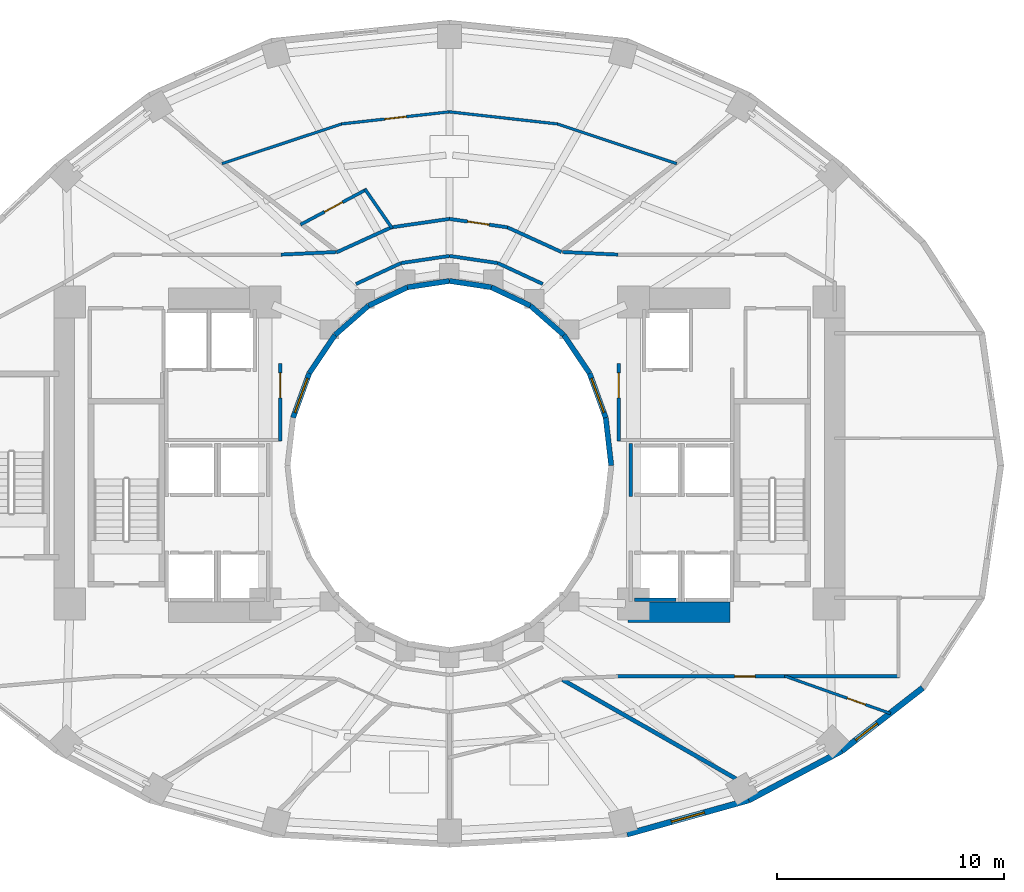
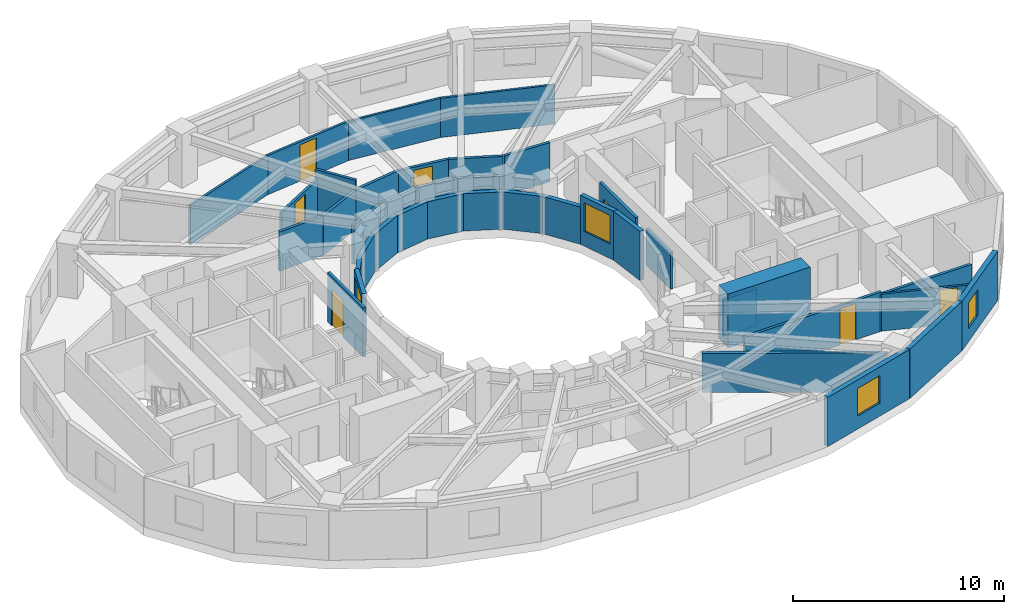
# One storey, part 5 of 9: 39 walls, 7 doors, 4 windows, 11 openings.
"""IFC4 building model written with IfcOpenShell, lengths in metres."""

from ifc_helpers import new_model, si_unit, direction, frame, frame_2d, origin, place, context, subcontext, project, spatial, rectangle, extrude, material, layer, layer_set, type_object, element, fill, save


model = new_model("IFC4")

# Units and contexts
model_context = context("Model", 3, precision=1e-05, world=origin(), true_north=direction((0.0, 1.0)))
body_context = subcontext(model_context, "Body", "Model", "MODEL_VIEW")
ifc_project = project(units=[si_unit("LENGTHUNIT", "METRE"), si_unit("AREAUNIT", "SQUARE_METRE"), si_unit("VOLUMEUNIT", "CUBIC_METRE"), si_unit("PLANEANGLEUNIT", "RADIAN"), si_unit("MASSUNIT", "GRAM", prefix="KILO")], contexts=[model_context])

# Site, building, storey
site_placement = place(None, origin())
site = spatial("IfcSite", under=ifc_project, at=site_placement, CompositionType="ELEMENT")
building_placement = place(site_placement, origin())
building = spatial("IfcBuilding", under=site, at=building_placement, Name="Solvane Sanctuary Tower", CompositionType="ELEMENT")
storey_placement = place(building_placement, frame((0.0, 0.0, 76.300048828125)))
storey = spatial("IfcBuildingStorey", under=building, at=storey_placement, Name="L22", CompositionType="ELEMENT", Elevation=76.300048828125)

# Wall
ifc_material_1 = material(Name="Concrete C70/85", Category="concrete")
ifc_layer_1 = layer(ifc_material_1, 0.89990234375, Name="Concrete C70/85")
ifc_layer_set_1 = layer_set([ifc_layer_1], Name="Concrete C70/85")
wall_type_1 = type_object("IfcWallType", Name="Wall W-CORE-900", PredefinedType="SHEAR", material=ifc_layer_set_1)
wall_1_placement = place(storey_placement, frame((39.85009765625, 16.550048828125, 0.0), z_axis=(0.0, 0.0, 1.0), x_axis=(1.0, 0.0, 0.0)))
element("IfcWall", 1, at=wall_1_placement, inside=storey, type_object=wall_type_1, Name="L22 Core Shear Wall EC-S", PredefinedType="SHEAR", context=body_context, shape_type="SweptSolid", body=[
    extrude(rectangle(XDim=4.5, YDim=0.89990234375, at=frame_2d((2.25, 0.0))), origin(), (0.0, 0.0, 1.0), 3.099853515625),
])

# Wall, opening, door
ifc_material_2 = material(Name="Acoustic Gypsum Partition Board")
ifc_layer_2 = layer(ifc_material_2, 0.14990234375, Name="Acoustic Gypsum Partition Board")
ifc_layer_set_2 = layer_set([ifc_layer_2], Name="Acoustic Gypsum Partition Board")
wall_type_2 = type_object("IfcWallType", Name="Wall W-CORR-150", PredefinedType="PARTITIONING", material=ifc_layer_set_2)
wall_2_placement = place(storey_placement, frame((24.550048828125, 24.080078125, 0.0), z_axis=(0.0, 0.0, 1.0), x_axis=(0.0, 1.0, 0.0)))
wall_2 = element("IfcWall", 2, at=wall_2_placement, inside=storey, type_object=wall_type_2, Name="L22 West Firefighting Lobby East Wall", PredefinedType="PARTITIONING", context=body_context, shape_type="SweptSolid", body=[
    extrude(rectangle(XDim=3.39990234375, YDim=0.14990234375, at=frame_2d((1.699951171875, 0.0))), origin(), (0.0, 0.0, 1.0), 2.85498046875),
])
opening_1_placement = place(wall_2_placement, frame((1.893798828125, 0.0, 0.0)))
opening_1 = element("IfcOpeningElement", 3, at=opening_1_placement, cuts=wall_2, Name="Opening D-L22-04", PredefinedType="OPENING", context=body_context, shape_type="SweptSolid", body=[
    extrude(rectangle(XDim=1.10009765625, YDim=2.10009765625, at=frame_2d((0.550048828125, 1.050048828125))), frame((0.0, 0.0849609375, 0.0), z_axis=(0.0, -1.0, 0.0), x_axis=(1.0, 0.0, 0.0)), (0.0, 0.0, 1.0), 0.169921875),
])
ifc_material_3 = material(Name="Architectural Stainless Steel 316", Category="steel")
door_type_1 = type_object("IfcDoorType", Name="Door D-FFL", OperationType="NOTDEFINED", PredefinedType="DOOR", material=ifc_material_3)
door_1_placement = place(opening_1_placement, origin())
door_1 = element("IfcDoor", 4, at=door_1_placement, inside=storey, type_object=door_type_1, Name="L22 West Firefighting Lobby Fire Door", OperationType="SINGLE_SWING_LEFT", OverallHeight=2.10009765625, OverallWidth=1.10009765625, PredefinedType="DOOR", context=body_context, shape_type="SweptSolid", body=[
    extrude(rectangle(XDim=1.10009765625, YDim=2.10009765625, at=frame_2d((0.550048828125, 1.050048828125))), frame((0.0, 0.02490234375, 0.0), z_axis=(0.0, -1.0, 0.0), x_axis=(1.0, 0.0, 0.0)), (0.0, 0.0, 1.0), 0.050048828125),
])
fill(opening_1, door_1)

wall_3_placement = place(storey_placement, frame((39.449951171875, 24.080078125, 0.0), z_axis=(0.0, 0.0, 1.0), x_axis=(0.0, 1.0, 0.0)))
wall_3 = element("IfcWall", 5, at=wall_3_placement, inside=storey, type_object=wall_type_2, Name="L22 East Firefighting Lobby West Wall", PredefinedType="PARTITIONING", context=body_context, shape_type="SweptSolid", body=[
    extrude(rectangle(XDim=3.39990234375, YDim=0.14990234375, at=frame_2d((1.699951171875, 0.0))), origin(), (0.0, 0.0, 1.0), 2.85498046875),
])
opening_2_placement = place(wall_3_placement, frame((1.893798828125, 0.0, 0.0)))
opening_2 = element("IfcOpeningElement", 6, at=opening_2_placement, cuts=wall_3, Name="Opening D-L22-05", PredefinedType="OPENING", context=body_context, shape_type="SweptSolid", body=[
    extrude(rectangle(XDim=1.10009765625, YDim=2.10009765625, at=frame_2d((0.550048828125, 1.050048828125))), frame((0.0, 0.0849609375, 0.0), z_axis=(0.0, -1.0, 0.0), x_axis=(1.0, 0.0, 0.0)), (0.0, 0.0, 1.0), 0.169921875),
])
door_2_placement = place(opening_2_placement, origin())
door_2 = element("IfcDoor", 7, at=door_2_placement, inside=storey, type_object=door_type_1, Name="L22 East Firefighting Lobby Fire Door", OperationType="SINGLE_SWING_RIGHT", OverallHeight=2.10009765625, OverallWidth=1.10009765625, PredefinedType="DOOR", context=body_context, shape_type="SweptSolid", body=[
    extrude(rectangle(XDim=1.10009765625, YDim=2.10009765625, at=frame_2d((0.550048828125, 1.050048828125))), frame((0.0, 0.02490234375, 0.0), z_axis=(0.0, -1.0, 0.0), x_axis=(1.0, 0.0, 0.0)), (0.0, 0.0, 1.0), 0.050048828125),
])
fill(opening_2, door_2)

# Walls
wall_4_placement = place(storey_placement, frame((36.110107421875, 30.98486328125, 0.0), z_axis=(0.0, 0.0, 1.0), x_axis=(-0.906943449489, 0.421252393975, 0.0)))
element("IfcWall", 8, at=wall_4_placement, inside=storey, type_object=wall_type_2, Name="L22 Light-Well Corridor Rim Wall N1", PredefinedType="PARTITIONING", context=body_context, shape_type="SweptSolid", body=[
    extrude(rectangle(XDim=2.18603515625, YDim=0.14990234375, at=frame_2d((1.093017578125, 0.0))), origin(), (0.0, 0.0, 1.0), 2.27197265625),
])
for number, where, z_axis, x_axis, name in (
    (9, (34.12744140625, 31.90576171875, 0.0), (0.0, 0.0, 1.0), (-0.989268584896, 0.146108408166, 0.0), "L22 Light-Well Corridor Rim Wall N2"),
    (10, (32.0, 32.219970703125, 0.0), (0.0, 0.0, 1.0), (-0.989268584896, -0.146108408166, 0.0), "L22 Light-Well Corridor Rim Wall N3"),
):
    element("IfcWall", number, at=place(storey_placement, frame(where, z_axis=z_axis, x_axis=x_axis)), inside=storey, type_object=wall_type_2, Name=name, PredefinedType="PARTITIONING", context=body_context, shape_type="SweptSolid", body=[
        extrude(rectangle(XDim=2.150634765625, YDim=0.14990234375, at=frame_2d((1.0751953125, 0.0))), origin(), (0.0, 0.0, 1.0), 2.27197265625),
    ])
wall_5_placement = place(storey_placement, frame((29.87255859375, 31.90576171875, 0.0), z_axis=(0.0, 0.0, 1.0), x_axis=(-0.906943449489, -0.421252393975, 0.0)))
element("IfcWall", 11, at=wall_5_placement, inside=storey, type_object=wall_type_2, Name="L22 Light-Well Corridor Rim Wall N4", PredefinedType="PARTITIONING", context=body_context, shape_type="SweptSolid", body=[
    extrude(rectangle(XDim=2.18603515625, YDim=0.14990234375, at=frame_2d((1.093017578125, 0.0))), origin(), (0.0, 0.0, 1.0), 2.27197265625),
])
for number, where, z_axis, x_axis, name in (
    (12, (36.97998046875, 32.393798828125, 0.0), (0.0, 0.0, 1.0), (0.998877427952, -0.047369651964, 0.0), "L22 NE Corner Throat Wall"),
    (13, (27.02001953125, 32.393798828125, 0.0), (0.0, 0.0, 1.0), (-0.998877427952, -0.047369651964, 0.0), "L22 NW Corner Throat Wall"),
):
    element("IfcWall", number, at=place(storey_placement, frame(where, z_axis=z_axis, x_axis=x_axis)), inside=storey, type_object=wall_type_2, Name=name, PredefinedType="PARTITIONING", context=body_context, shape_type="SweptSolid", body=[
        extrude(rectangle(XDim=2.4326171875, YDim=0.14990234375, at=frame_2d((1.21630859375, 0.0))), origin(), (0.0, 0.0, 1.0), 2.27197265625),
    ])

# Wall, opening, door
wall_6_placement = place(storey_placement, frame((39.330078125, 13.719970703125, 0.0), z_axis=(0.0, 0.0, 1.0), x_axis=(1.0, 0.0, 0.0)))
wall_6 = element("IfcWall", 14, at=wall_6_placement, inside=storey, type_object=wall_type_2, Name="L22 SE Corner Corridor Wall", PredefinedType="PARTITIONING", context=body_context, shape_type="SweptSolid", body=[
    extrude(rectangle(XDim=7.52001953125, YDim=0.14990234375, at=frame_2d((3.760009765625, 0.0))), origin(), (0.0, 0.0, 1.0), 2.27197265625),
])
opening_3_placement = place(wall_6_placement, frame((5.219970703125, 0.0, 0.0)))
opening_3 = element("IfcOpeningElement", 15, at=opening_3_placement, cuts=wall_6, Name="Opening D-L22-15", PredefinedType="OPENING", context=body_context, shape_type="SweptSolid", body=[
    extrude(rectangle(XDim=0.89990234375, YDim=2.10009765625, at=frame_2d((0.449951171875, 1.050048828125))), frame((0.0, 0.0849609375, 0.0), z_axis=(0.0, -1.0, 0.0), x_axis=(1.0, 0.0, 0.0)), (0.0, 0.0, 1.0), 0.169921875),
])
ifc_material_4 = material(Name="Engineered Tropical Hardwood", Category="wood")
door_type_2 = type_object("IfcDoorType", Name="Door D-WET-900", OperationType="NOTDEFINED", PredefinedType="DOOR", material=ifc_material_4)
door_3_placement = place(opening_3_placement, origin())
door_3 = element("IfcDoor", 16, at=door_3_placement, inside=storey, type_object=door_type_2, Name="L22 SE Corner Salon Door", OperationType="SINGLE_SWING_RIGHT", OverallHeight=2.10009765625, OverallWidth=0.89990234375, PredefinedType="DOOR", context=body_context, shape_type="SweptSolid", body=[
    extrude(rectangle(XDim=0.89990234375, YDim=2.10009765625, at=frame_2d((0.449951171875, 1.050048828125))), frame((0.0, 0.02490234375, 0.0), z_axis=(0.0, -1.0, 0.0), x_axis=(1.0, 0.0, 0.0)), (0.0, 0.0, 1.0), 0.050048828125),
])
fill(opening_3, door_3)

# Walls
wall_7_placement = place(storey_placement, frame((46.75, 13.719970703125, 0.0), z_axis=(0.0, 0.0, 1.0), x_axis=(1.0, 0.0, 0.0)))
element("IfcWall", 17, at=wall_7_placement, inside=storey, type_object=wall_type_2, Name="L22 SE Corner Wing Wall", PredefinedType="PARTITIONING", context=body_context, shape_type="SweptSolid", body=[
    extrude(rectangle(XDim=5.050048828125, YDim=0.14990234375, at=frame_2d((2.52490234375, 0.0))), origin(), (0.0, 0.0, 1.0), 2.141845703125),
])
wall_8_placement = place(storey_placement, frame((29.49609375, 33.501220703125, 0.0), z_axis=(0.0, 0.0, 1.0), x_axis=(-0.909730151902, -0.415200012909, 0.0)))
element("IfcWall", 18, at=wall_8_placement, inside=storey, type_object=wall_type_2, Name="L22 En-suite Inner Wall N1", PredefinedType="PARTITIONING", context=body_context, shape_type="SweptSolid", body=[
    extrude(rectangle(XDim=2.711181640625, YDim=0.14990234375, at=frame_2d((1.35546875, 0.0))), origin(), (0.0, 0.0, 1.0), 2.27197265625),
])
wall_9_placement = place(storey_placement, frame((36.930908203125, 32.392578125, 0.0), z_axis=(0.0, 0.0, 1.0), x_axis=(-0.909747571199, 0.415161843982, 0.0)))
element("IfcWall", 19, at=wall_9_placement, inside=storey, type_object=wall_type_2, Name="L22 Unit Corridor Wall N1", PredefinedType="PARTITIONING", context=body_context, shape_type="SweptSolid", body=[
    extrude(rectangle(XDim=2.625, YDim=0.14990234375, at=frame_2d((1.3125, 0.0))), origin(), (0.0, 0.0, 1.0), 2.27197265625),
])

# Wall, opening, door
wall_10_placement = place(storey_placement, frame((34.555908203125, 33.478271484375, 0.0), z_axis=(0.0, 0.0, 1.0), x_axis=(-0.989637894688, 0.143585644814, 0.0)))
wall_10 = element("IfcWall", 20, at=wall_10_placement, inside=storey, type_object=wall_type_2, Name="L22 Unit Corridor Wall N1", PredefinedType="PARTITIONING", context=body_context, shape_type="SweptSolid", body=[
    extrude(rectangle(XDim=2.589599609375, YDim=0.14990234375, at=frame_2d((1.294921875, 0.0))), origin(), (0.0, 0.0, 1.0), 2.27197265625),
])
opening_4_placement = place(wall_10_placement, frame((0.81982421875, 0.0, 0.0)))
opening_4 = element("IfcOpeningElement", 21, at=opening_4_placement, cuts=wall_10, Name="Opening D-L22-18", PredefinedType="OPENING", context=body_context, shape_type="SweptSolid", body=[
    extrude(rectangle(XDim=0.949951171875, YDim=2.10009765625, at=frame_2d((0.47509765625, 1.050048828125))), frame((0.0, 0.0849609375, 0.0), z_axis=(0.0, -1.0, 0.0), x_axis=(1.0, 0.0, 0.0)), (0.0, 0.0, 1.0), 0.169921875),
])
door_type_3 = type_object("IfcDoorType", Name="Door D-ROOM-950", OperationType="NOTDEFINED", PredefinedType="DOOR", material=ifc_material_4)
door_4_placement = place(opening_4_placement, origin())
door_4 = element("IfcDoor", 22, at=door_4_placement, inside=storey, type_object=door_type_3, Name="L22 Unit Entrance Door N1", OperationType="SINGLE_SWING_LEFT", OverallHeight=2.10009765625, OverallWidth=0.949951171875, PredefinedType="DOOR", context=body_context, shape_type="SweptSolid", body=[
    extrude(rectangle(XDim=0.949951171875, YDim=2.10009765625, at=frame_2d((0.47509765625, 1.050048828125))), frame((0.0, 0.02490234375, 0.0), z_axis=(0.0, -1.0, 0.0), x_axis=(1.0, 0.0, 0.0)), (0.0, 0.0, 1.0), 0.050048828125),
])
fill(opening_4, door_4)

# Wall
wall_11_placement = place(storey_placement, frame((32.0068359375, 33.85009765625, 0.0), z_axis=(0.0, 0.0, 1.0), x_axis=(-0.989637894688, -0.143585644814, 0.0)))
element("IfcWall", 23, at=wall_11_placement, inside=storey, type_object=wall_type_2, Name="L22 Unit Corridor Wall N1", PredefinedType="PARTITIONING", context=body_context, shape_type="SweptSolid", body=[
    extrude(rectangle(XDim=2.589599609375, YDim=0.14990234375, at=frame_2d((1.294921875, 0.0))), origin(), (0.0, 0.0, 1.0), 2.27197265625),
])

# Wall, opening, window
ifc_material_5 = material(Name="Precast concrete C40/50", Category="concrete")
ifc_layer_3 = layer(ifc_material_5, 0.260009765625, Name="Precast concrete C40/50")
ifc_layer_set_3 = layer_set([ifc_layer_3], Name="Precast concrete C40/50")
wall_type_3 = type_object("IfcWallType", Name="Wall W-EXT-250", PredefinedType="STANDARD", material=ifc_layer_set_3)
wall_12_placement = place(storey_placement, frame((39.81640625, 6.7783203125, 0.0), z_axis=(0.0, 0.0, 1.0), x_axis=(0.962938491413, 0.269721081407, 0.0)))
wall_12 = element("IfcWall", 24, at=wall_12_placement, inside=storey, type_object=wall_type_3, Name="L22 Ceramic-Printed Facade Wall 19", PredefinedType="STANDARD", context=body_context, shape_type="SweptSolid", body=[
    extrude(rectangle(XDim=5.563232421875, YDim=0.260009765625, at=frame_2d((2.78173828125, 0.0))), origin(), (0.0, 0.0, 1.0), 2.849853515625),
])
opening_5_placement = place(wall_12_placement, frame((2.031494140625, 0.0, 0.75)))
opening_5 = element("IfcOpeningElement", 25, at=opening_5_placement, cuts=wall_12, Name="Opening WN-OPER-1500", PredefinedType="OPENING", context=body_context, shape_type="SweptSolid", body=[
    extrude(rectangle(XDim=1.5, YDim=1.60009765625, at=frame_2d((0.75, 0.800048828125))), frame((0.0, 0.139892578125, 0.0), z_axis=(0.0, -1.0, 0.0), x_axis=(1.0, 0.0, 0.0)), (0.0, 0.0, 1.0), 0.280029296875),
])
ifc_material_6 = material(Name="Dark Ceramic-Fritted Low-E Glass", Category="glass")
window_type_1 = type_object("IfcWindowType", Name="Window WN-OPER-1500", PartitioningType="SINGLE_PANEL", PredefinedType="WINDOW", material=ifc_material_6)
window_1_placement = place(opening_5_placement, origin())
window_1 = element("IfcWindow", 26, at=window_1_placement, inside=storey, type_object=window_type_1, Name="L22 Operable Facade Window 19", OverallHeight=1.60009765625, OverallWidth=1.5, PartitioningType="SINGLE_PANEL", PredefinedType="WINDOW", context=body_context, shape_type="SweptSolid", body=[
    extrude(rectangle(XDim=1.5, YDim=1.60009765625, at=frame_2d((0.75, 0.800048828125))), frame((0.0, 0.030029296875, 0.0), z_axis=(0.0, -1.0, 0.0), x_axis=(1.0, 0.0, 0.0)), (0.0, 0.0, 1.0), 0.06005859375),
])
fill(opening_5, window_1)

# Wall
wall_13_placement = place(storey_placement, frame((45.17333984375, 8.27880859375, 0.0), z_axis=(0.0, 0.0, 1.0), x_axis=(0.883668636807, 0.4681129568, 0.0)))
element("IfcWall", 27, at=wall_13_placement, inside=storey, type_object=wall_type_3, Name="L22 Ceramic-Printed Facade Wall 20", PredefinedType="STANDARD", context=body_context, shape_type="SweptSolid", body=[
    extrude(rectangle(XDim=4.63134765625, YDim=0.260009765625, at=frame_2d((2.315673828125, 0.0))), origin(), (0.0, 0.0, 1.0), 2.849853515625),
])

# Wall, opening, window
wall_14_placement = place(storey_placement, frame((49.265869140625, 10.44677734375, 0.0), z_axis=(0.0, 0.0, 1.0), x_axis=(0.789127449954, 0.614229491094, 0.0)))
wall_14 = element("IfcWall", 28, at=wall_14_placement, inside=storey, type_object=wall_type_3, Name="L22 Ceramic-Printed Facade Wall 21", PredefinedType="STANDARD", context=body_context, shape_type="SweptSolid", body=[
    extrude(rectangle(XDim=4.504638671875, YDim=0.260009765625, at=frame_2d((2.25244140625, 0.0))), origin(), (0.0, 0.0, 1.0), 2.849853515625),
])
opening_6_placement = place(wall_14_placement, frame((0.767822265625, 0.0, 0.75)))
opening_6 = element("IfcOpeningElement", 29, at=opening_6_placement, cuts=wall_14, Name="Opening WN-OPER-1200", PredefinedType="OPENING", context=body_context, shape_type="SweptSolid", body=[
    extrude(rectangle(XDim=1.199951171875, YDim=1.5, at=frame_2d((0.60009765625, 0.75))), frame((0.0, 0.139892578125, 0.0), z_axis=(0.0, -1.0, 0.0), x_axis=(1.0, 0.0, 0.0)), (0.0, 0.0, 1.0), 0.280029296875),
])
window_type_2 = type_object("IfcWindowType", Name="Window WN-OPER-1200", PartitioningType="SINGLE_PANEL", PredefinedType="WINDOW", material=ifc_material_6)
window_2_placement = place(opening_6_placement, origin())
window_2 = element("IfcWindow", 30, at=window_2_placement, inside=storey, type_object=window_type_2, Name="L22 Operable Facade Window 21", OverallHeight=1.5, OverallWidth=1.199951171875, PartitioningType="SINGLE_PANEL", PredefinedType="WINDOW", context=body_context, shape_type="SweptSolid", body=[
    extrude(rectangle(XDim=1.199951171875, YDim=1.5, at=frame_2d((0.60009765625, 0.75))), frame((0.0, 0.030029296875, 0.0), z_axis=(0.0, -1.0, 0.0), x_axis=(1.0, 0.0, 0.0)), (0.0, 0.0, 1.0), 0.06005859375),
])
fill(opening_6, window_2)

# Wall
ifc_layer_4 = layer(ifc_material_5, 0.22998046875, Name="Precast concrete C40/50")
ifc_layer_set_4 = layer_set([ifc_layer_4], Name="Precast concrete C40/50")
wall_type_4 = type_object("IfcWallType", Name="Wall W-EXT-SP220", PredefinedType="STANDARD", material=ifc_layer_set_4)
wall_15_placement = place(storey_placement, frame((39.1201171875, 23.0, 0.0), z_axis=(0.0, 0.0, 1.0), x_axis=(-0.114711713601, 0.993398823617, 0.0)))
element("IfcWall", 31, at=wall_15_placement, inside=storey, type_object=wall_type_4, Name="L22 Central Light-Well Wall 00", PredefinedType="STANDARD", context=body_context, shape_type="SweptSolid", body=[
    extrude(rectangle(XDim=2.115478515625, YDim=0.22998046875, at=frame_2d((1.0576171875, 0.0))), origin(), (0.0, 0.0, 1.0), 2.83984375),
])

# Wall, opening, window
wall_16_placement = place(storey_placement, frame((38.87744140625, 25.1015625, 0.0), z_axis=(0.0, 0.0, 1.0), x_axis=(-0.341423187295, 0.93990968033, 0.0)))
wall_16 = element("IfcWall", 32, at=wall_16_placement, inside=storey, type_object=wall_type_4, Name="L22 Central Light-Well Wall 01", PredefinedType="STANDARD", context=body_context, shape_type="SweptSolid", body=[
    extrude(rectangle(XDim=2.083740234375, YDim=0.22998046875, at=frame_2d((1.0419921875, 0.0))), origin(), (0.0, 0.0, 1.0), 2.83984375),
])
opening_7_placement = place(wall_16_placement, frame((0.24169921875, 0.0, 0.85009765625)))
opening_7 = element("IfcOpeningElement", 33, at=opening_7_placement, cuts=wall_16, Name="Opening WN-WELL-1600", PredefinedType="OPENING", context=body_context, shape_type="SweptSolid", body=[
    extrude(rectangle(XDim=1.60009765625, YDim=1.64990234375, at=frame_2d((0.800048828125, 0.824951171875))), frame((0.0, 0.125, 0.0), z_axis=(0.0, -1.0, 0.0), x_axis=(1.0, 0.0, 0.0)), (0.0, 0.0, 1.0), 0.25),
])
ifc_material_7 = material(Name="Clear Laminated Light-Well Glass", Category="glass")
window_type_3 = type_object("IfcWindowType", Name="Window WN-WELL-1600", PartitioningType="SINGLE_PANEL", PredefinedType="WINDOW", material=ifc_material_7)
window_3_placement = place(opening_7_placement, origin())
window_3 = element("IfcWindow", 34, at=window_3_placement, inside=storey, type_object=window_type_3, Name="L22 Light-Well Daylight Window 01", OverallHeight=1.64990234375, OverallWidth=1.60009765625, PartitioningType="SINGLE_PANEL", PredefinedType="WINDOW", context=body_context, shape_type="SweptSolid", body=[
    extrude(rectangle(XDim=1.60009765625, YDim=1.64990234375, at=frame_2d((0.800048828125, 0.824951171875))), frame((0.0, 0.030029296875, 0.0), z_axis=(0.0, -1.0, 0.0), x_axis=(1.0, 0.0, 0.0)), (0.0, 0.0, 1.0), 0.06005859375),
])
fill(opening_7, window_3)

# Walls
wall_17_placement = place(storey_placement, frame((38.166015625, 27.06005859375, 0.0), z_axis=(0.0, 0.0, 1.0), x_axis=(-0.558197800898, 0.829707909492, 0.0)))
element("IfcWall", 35, at=wall_17_placement, inside=storey, type_object=wall_type_4, Name="L22 Central Light-Well Wall 02", PredefinedType="STANDARD", context=body_context, shape_type="SweptSolid", body=[
    extrude(rectangle(XDim=2.02685546875, YDim=0.22998046875, at=frame_2d((1.013427734375, 0.0))), origin(), (0.0, 0.0, 1.0), 2.159912109375),
])
wall_18_placement = place(storey_placement, frame((37.03466796875, 28.74169921875, 0.0), z_axis=(0.0, 0.0, 1.0), x_axis=(-0.752576694707, 0.658504607869, 0.0)))
element("IfcWall", 36, at=wall_18_placement, inside=storey, type_object=wall_type_4, Name="L22 Central Light-Well Wall 03", PredefinedType="STANDARD", context=body_context, shape_type="SweptSolid", body=[
    extrude(rectangle(XDim=1.95947265625, YDim=0.22998046875, at=frame_2d((0.979736328125, 0.0))), origin(), (0.0, 0.0, 1.0), 2.159912109375),
])
wall_19_placement = place(storey_placement, frame((35.56005859375, 30.031982421875, 0.0), z_axis=(0.0, 0.0, 1.0), x_axis=(-0.904179699603, 0.427152280606, 0.0)))
element("IfcWall", 37, at=wall_19_placement, inside=storey, type_object=wall_type_4, Name="L22 Central Light-Well Wall 04", PredefinedType="STANDARD", context=body_context, shape_type="SweptSolid", body=[
    extrude(rectangle(XDim=1.899169921875, YDim=0.22998046875, at=frame_2d((0.94970703125, 0.0))), origin(), (0.0, 0.0, 1.0), 2.159912109375),
])
for number, where, z_axis, x_axis, name in (
    (38, (33.8427734375, 30.84326171875, 0.0), (0.0, 0.0, 1.0), (-0.988901730308, 0.148571086668, 0.0), "L22 Central Light-Well Wall 05"),
    (39, (32.0, 31.1201171875, 0.0), (0.0, 0.0, 1.0), (-0.988901730308, -0.148571086668, 0.0), "L22 Central Light-Well Wall 06"),
):
    element("IfcWall", number, at=place(storey_placement, frame(where, z_axis=z_axis, x_axis=x_axis)), inside=storey, type_object=wall_type_4, Name=name, PredefinedType="STANDARD", context=body_context, shape_type="SweptSolid", body=[
        extrude(rectangle(XDim=1.863525390625, YDim=0.22998046875, at=frame_2d((0.931640625, 0.0))), origin(), (0.0, 0.0, 1.0), 2.159912109375),
    ])
wall_20_placement = place(storey_placement, frame((30.1572265625, 30.84326171875, 0.0), z_axis=(0.0, 0.0, 1.0), x_axis=(-0.904179699603, -0.427152280606, 0.0)))
element("IfcWall", 40, at=wall_20_placement, inside=storey, type_object=wall_type_4, Name="L22 Central Light-Well Wall 07", PredefinedType="STANDARD", context=body_context, shape_type="SweptSolid", body=[
    extrude(rectangle(XDim=1.899169921875, YDim=0.22998046875, at=frame_2d((0.94970703125, 0.0))), origin(), (0.0, 0.0, 1.0), 2.159912109375),
])
wall_21_placement = place(storey_placement, frame((28.43994140625, 30.031982421875, 0.0), z_axis=(0.0, 0.0, 1.0), x_axis=(-0.752576694707, -0.658504607869, 0.0)))
element("IfcWall", 41, at=wall_21_placement, inside=storey, type_object=wall_type_4, Name="L22 Central Light-Well Wall 08", PredefinedType="STANDARD", context=body_context, shape_type="SweptSolid", body=[
    extrude(rectangle(XDim=1.95947265625, YDim=0.22998046875, at=frame_2d((0.979736328125, 0.0))), origin(), (0.0, 0.0, 1.0), 2.159912109375),
])
wall_22_placement = place(storey_placement, frame((26.96533203125, 28.74169921875, 0.0), z_axis=(0.0, 0.0, 1.0), x_axis=(-0.558197800898, -0.829707909492, 0.0)))
element("IfcWall", 42, at=wall_22_placement, inside=storey, type_object=wall_type_4, Name="L22 Central Light-Well Wall 09", PredefinedType="STANDARD", context=body_context, shape_type="SweptSolid", body=[
    extrude(rectangle(XDim=2.02685546875, YDim=0.22998046875, at=frame_2d((1.013427734375, 0.0))), origin(), (0.0, 0.0, 1.0), 2.159912109375),
])

# Wall, opening, window
wall_23_placement = place(storey_placement, frame((25.833984375, 27.06005859375, 0.0), z_axis=(0.0, 0.0, 1.0), x_axis=(-0.341423187295, -0.93990968033, 0.0)))
wall_23 = element("IfcWall", 43, at=wall_23_placement, inside=storey, type_object=wall_type_4, Name="L22 Central Light-Well Wall 10", PredefinedType="STANDARD", context=body_context, shape_type="SweptSolid", body=[
    extrude(rectangle(XDim=2.083740234375, YDim=0.22998046875, at=frame_2d((1.0419921875, 0.0))), origin(), (0.0, 0.0, 1.0), 2.83984375),
])
opening_8_placement = place(wall_23_placement, frame((0.24169921875, 0.0, 0.85009765625)))
opening_8 = element("IfcOpeningElement", 44, at=opening_8_placement, cuts=wall_23, Name="Opening WN-WELL-1600", PredefinedType="OPENING", context=body_context, shape_type="SweptSolid", body=[
    extrude(rectangle(XDim=1.60009765625, YDim=1.64990234375, at=frame_2d((0.800048828125, 0.824951171875))), frame((0.0, 0.125, 0.0), z_axis=(0.0, -1.0, 0.0), x_axis=(1.0, 0.0, 0.0)), (0.0, 0.0, 1.0), 0.25),
])
window_4_placement = place(opening_8_placement, origin())
window_4 = element("IfcWindow", 45, at=window_4_placement, inside=storey, type_object=window_type_3, Name="L22 Light-Well Daylight Window 10", OverallHeight=1.64990234375, OverallWidth=1.60009765625, PartitioningType="SINGLE_PANEL", PredefinedType="WINDOW", context=body_context, shape_type="SweptSolid", body=[
    extrude(rectangle(XDim=1.60009765625, YDim=1.64990234375, at=frame_2d((0.800048828125, 0.824951171875))), frame((0.0, 0.030029296875, 0.0), z_axis=(0.0, -1.0, 0.0), x_axis=(1.0, 0.0, 0.0)), (0.0, 0.0, 1.0), 0.06005859375),
])
fill(opening_8, window_4)

# Wall, opening, door
ifc_layer_5 = layer(ifc_material_2, 0.1201171875, Name="Acoustic Gypsum Partition Board")
ifc_layer_set_5 = layer_set([ifc_layer_5], Name="Acoustic Gypsum Partition Board")
wall_type_5 = type_object("IfcWallType", Name="Wall W-MOV-100", PredefinedType="MOVABLE", material=ifc_layer_set_5)
wall_24_placement = place(storey_placement, frame((46.7529296875, 13.73681640625, 0.0), z_axis=(0.0, 0.0, 1.0), x_axis=(0.942633057048, -0.333830675284, 0.0)))
wall_24 = element("IfcWall", 46, at=wall_24_placement, inside=storey, type_object=wall_type_5, Name="L22 SE Corner Suite Partition", PredefinedType="MOVABLE", context=body_context, shape_type="SweptSolid", body=[
    extrude(rectangle(XDim=4.940185546875, YDim=0.1201171875, at=frame_2d((2.47021484375, 0.0))), origin(), (0.0, 0.0, 1.0), 2.141845703125),
])
opening_9_placement = place(wall_24_placement, frame((2.920166015625, 0.0, 0.0)))
opening_9 = element("IfcOpeningElement", 47, at=opening_9_placement, cuts=wall_24, Name="Opening D-L22-14", PredefinedType="OPENING", context=body_context, shape_type="SweptSolid", body=[
    extrude(rectangle(XDim=0.85009765625, YDim=2.050048828125, at=frame_2d((0.425048828125, 1.02490234375))), frame((0.0, 0.070068359375, 0.0), z_axis=(0.0, -1.0, 0.0), x_axis=(1.0, 0.0, 0.0)), (0.0, 0.0, 1.0), 0.14013671875),
])
door_type_4 = type_object("IfcDoorType", Name="Door D-RISER", OperationType="NOTDEFINED", PredefinedType="DOOR", material=ifc_material_3)
door_5_placement = place(opening_9_placement, origin())
door_5 = element("IfcDoor", 48, at=door_5_placement, inside=storey, type_object=door_type_4, Name="L22 SE Corner Suite Door", OperationType="SINGLE_SWING_LEFT", OverallHeight=2.050048828125, OverallWidth=0.85009765625, PredefinedType="DOOR", context=body_context, shape_type="SweptSolid", body=[
    extrude(rectangle(XDim=0.85009765625, YDim=2.050048828125, at=frame_2d((0.425048828125, 1.02490234375))), frame((0.0, 0.02490234375, 0.0), z_axis=(0.0, -1.0, 0.0), x_axis=(1.0, 0.0, 0.0)), (0.0, 0.0, 1.0), 0.050048828125),
])
fill(opening_9, door_5)

# Walls
wall_25_placement = place(storey_placement, frame((42.003173828125, 36.279296875, 0.0), z_axis=(0.0, 0.0, 1.0), x_axis=(-0.948981517829, 0.315331696502, 0.0)))
element("IfcWall", 49, at=wall_25_placement, inside=storey, type_object=wall_type_5, Name="L22 Suite Sitting Lounge Partition N1", PredefinedType="MOVABLE", context=body_context, shape_type="SweptSolid", body=[
    extrude(rectangle(XDim=5.55908203125, YDim=0.1201171875, at=frame_2d((2.779541015625, 0.0))), origin(), (0.0, 0.0, 1.0), 2.27197265625),
])
wall_26_placement = place(storey_placement, frame((36.7470703125, 38.02783203125, 0.0), z_axis=(0.0, 0.0, 1.0), x_axis=(-0.9937938415, 0.111237586262, 0.0)))
element("IfcWall", 50, at=wall_26_placement, inside=storey, type_object=wall_type_5, Name="L22 Suite Sitting Lounge Partition N1", PredefinedType="MOVABLE", context=body_context, shape_type="SweptSolid", body=[
    extrude(rectangle(XDim=4.786865234375, YDim=0.1201171875, at=frame_2d((2.3935546875, 0.0))), origin(), (0.0, 0.0, 1.0), 2.27197265625),
])

# Wall, opening, door
wall_27_placement = place(storey_placement, frame((32.010009765625, 38.560302734375, 0.0), z_axis=(0.0, 0.0, 1.0), x_axis=(-0.9937938415, -0.111237586262, 0.0)))
wall_27 = element("IfcWall", 51, at=wall_27_placement, inside=storey, type_object=wall_type_5, Name="L22 Suite Sitting Lounge Partition N1", PredefinedType="MOVABLE", context=body_context, shape_type="SweptSolid", body=[
    extrude(rectangle(XDim=4.786865234375, YDim=0.1201171875, at=frame_2d((2.3935546875, 0.0))), origin(), (0.0, 0.0, 1.0), 2.27197265625),
])
opening_10_placement = place(wall_27_placement, frame((1.91845703125, 0.0, 0.0)))
opening_10 = element("IfcOpeningElement", 52, at=opening_10_placement, cuts=wall_27, Name="Opening D-L22-16", PredefinedType="OPENING", context=body_context, shape_type="SweptSolid", body=[
    extrude(rectangle(XDim=0.949951171875, YDim=2.10009765625, at=frame_2d((0.47509765625, 1.050048828125))), frame((0.0, 0.070068359375, 0.0), z_axis=(0.0, -1.0, 0.0), x_axis=(1.0, 0.0, 0.0)), (0.0, 0.0, 1.0), 0.14013671875),
])
door_6_placement = place(opening_10_placement, origin())
door_6 = element("IfcDoor", 53, at=door_6_placement, inside=storey, type_object=door_type_3, Name="L22 Suite Sitting Lounge Door N1", OperationType="SINGLE_SWING_LEFT", OverallHeight=2.10009765625, OverallWidth=0.949951171875, PredefinedType="DOOR", context=body_context, shape_type="SweptSolid", body=[
    extrude(rectangle(XDim=0.949951171875, YDim=2.10009765625, at=frame_2d((0.47509765625, 1.050048828125))), frame((0.0, 0.02490234375, 0.0), z_axis=(0.0, -1.0, 0.0), x_axis=(1.0, 0.0, 0.0)), (0.0, 0.0, 1.0), 0.050048828125),
])
fill(opening_10, door_6)

# Walls
wall_28_placement = place(storey_placement, frame((27.272216796875, 38.0322265625, 0.0), z_axis=(0.0, 0.0, 1.0), x_axis=(-0.948981517829, -0.315331696502, 0.0)))
element("IfcWall", 54, at=wall_28_placement, inside=storey, type_object=wall_type_5, Name="L22 Suite Sitting Lounge Partition N1", PredefinedType="MOVABLE", context=body_context, shape_type="SweptSolid", body=[
    extrude(rectangle(XDim=5.55908203125, YDim=0.1201171875, at=frame_2d((2.779541015625, 0.0))), origin(), (0.0, 0.0, 1.0), 2.27197265625),
])
ifc_material_8 = material(Name="Concrete C50/60", Category="concrete")
ifc_layer_6 = layer(ifc_material_8, 0.14990234375, Name="Concrete C50/60")
ifc_layer_set_6 = layer_set([ifc_layer_6], Name="Concrete C50/60")
wall_type_6 = type_object("IfcWallType", Name="Wall W-SHAFT-150", PredefinedType="SOLIDWALL", material=ifc_layer_set_6)
wall_29_placement = place(storey_placement, frame((40.139892578125, 17.10009765625, 0.0), z_axis=(0.0, 0.0, 1.0), x_axis=(1.0, 0.0, 0.0)))
element("IfcWall", 55, at=wall_29_placement, inside=storey, type_object=wall_type_6, Name="L22 PL-3 Lift Shaft Wall B", PredefinedType="SOLIDWALL", context=body_context, shape_type="SweptSolid", body=[
    extrude(rectangle(XDim=1.820068359375, YDim=0.14990234375, at=frame_2d((0.91015625, 0.0))), origin(), (0.0, 0.0, 1.0), 2.119873046875),
])
wall_30_placement = place(storey_placement, frame((39.969970703125, 21.639892578125, 0.0), z_axis=(0.0, 0.0, 1.0), x_axis=(0.0, 1.0, 0.0)))
element("IfcWall", 56, at=wall_30_placement, inside=storey, type_object=wall_type_6, Name="L22 PH-2 Lift Shaft Wall S1", PredefinedType="SOLIDWALL", context=body_context, shape_type="SweptSolid", body=[
    extrude(rectangle(XDim=2.320068359375, YDim=0.14990234375, at=frame_2d((1.16015625, 0.0))), origin(), (0.0, 0.0, 1.0), 2.119873046875),
])
ifc_layer_7 = layer(ifc_material_2, 0.179931640625, Name="Acoustic Gypsum Partition Board")
ifc_layer_set_7 = layer_set([ifc_layer_7], Name="Acoustic Gypsum Partition Board")
wall_type_7 = type_object("IfcWallType", Name="Wall W-UNIT-180", PredefinedType="PARTITIONING", material=ifc_layer_set_7)
wall_31_placement = place(storey_placement, frame((36.972900390625, 13.576416015625, 0.0), z_axis=(0.0, 0.0, 1.0), x_axis=(0.868484076301, -0.495717065685, 0.0)))
element("IfcWall", 57, at=wall_31_placement, inside=storey, type_object=wall_type_7, Name="L22 Radial Compartment Wall 300", PredefinedType="PARTITIONING", context=body_context, shape_type="SweptSolid", body=[
    extrude(rectangle(XDim=8.78857421875, YDim=0.179931640625, at=frame_2d((4.394287109375, 0.0))), origin(), (0.0, 0.0, 1.0), 2.27197265625),
])
ifc_layer_8 = layer(ifc_material_2, 0.139892578125, Name="Acoustic Gypsum Partition Board")
ifc_layer_set_8 = layer_set([ifc_layer_8], Name="Acoustic Gypsum Partition Board")
wall_type_8 = type_object("IfcWallType", Name="Wall W-WET-140", PredefinedType="PLUMBINGWALL", material=ifc_layer_set_8)
wall_32_placement = place(storey_placement, frame((29.47900390625, 33.439208984375, 0.0), z_axis=(0.0, 0.0, 1.0), x_axis=(-0.570110374441, 0.821568110965, 0.0)))
element("IfcWall", 58, at=wall_32_placement, inside=storey, type_object=wall_type_8, Name="L22 En-suite Side Partition N1", PredefinedType="PLUMBINGWALL", context=body_context, shape_type="SweptSolid", body=[
    extrude(rectangle(XDim=2.10009765625, YDim=0.139892578125, at=frame_2d((1.050048828125, 0.0))), origin(), (0.0, 0.0, 1.0), 2.85498046875),
])

# Wall, opening, door
wall_33_placement = place(storey_placement, frame((28.3544921875, 35.14697265625, 0.0), z_axis=(0.0, 0.0, 1.0), x_axis=(-0.882338568524, -0.470615183027, 0.0)))
wall_33 = element("IfcWall", 59, at=wall_33_placement, inside=storey, type_object=wall_type_8, Name="L22 En-suite Bedroom Wall N1", PredefinedType="PLUMBINGWALL", context=body_context, shape_type="SweptSolid", body=[
    extrude(rectangle(XDim=3.29150390625, YDim=0.139892578125, at=frame_2d((1.645751953125, 0.0))), origin(), (0.0, 0.0, 1.0), 2.27197265625),
])
opening_11_placement = place(wall_33_placement, frame((1.19580078125, 0.0, 0.0)))
opening_11 = element("IfcOpeningElement", 60, at=opening_11_placement, cuts=wall_33, Name="Opening D-L22-17", PredefinedType="OPENING", context=body_context, shape_type="SweptSolid", body=[
    extrude(rectangle(XDim=0.89990234375, YDim=2.10009765625, at=frame_2d((0.449951171875, 1.050048828125))), frame((0.0, 0.079833984375, 0.0), z_axis=(0.0, -1.0, 0.0), x_axis=(1.0, 0.0, 0.0)), (0.0, 0.0, 1.0), 0.159912109375),
])
door_7_placement = place(opening_11_placement, origin())
door_7 = element("IfcDoor", 61, at=door_7_placement, inside=storey, type_object=door_type_2, Name="L22 En-suite Bathroom Door N1", OperationType="SINGLE_SWING_RIGHT", OverallHeight=2.10009765625, OverallWidth=0.89990234375, PredefinedType="DOOR", context=body_context, shape_type="SweptSolid", body=[
    extrude(rectangle(XDim=0.89990234375, YDim=2.10009765625, at=frame_2d((0.449951171875, 1.050048828125))), frame((0.0, 0.02490234375, 0.0), z_axis=(0.0, -1.0, 0.0), x_axis=(1.0, 0.0, 0.0)), (0.0, 0.0, 1.0), 0.050048828125),
])
fill(opening_11, door_7)

save(model, "model.ifc")
